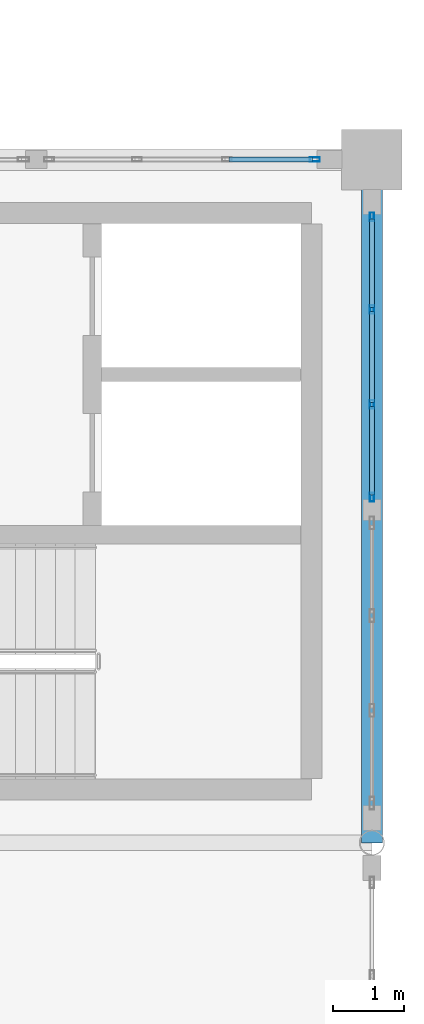
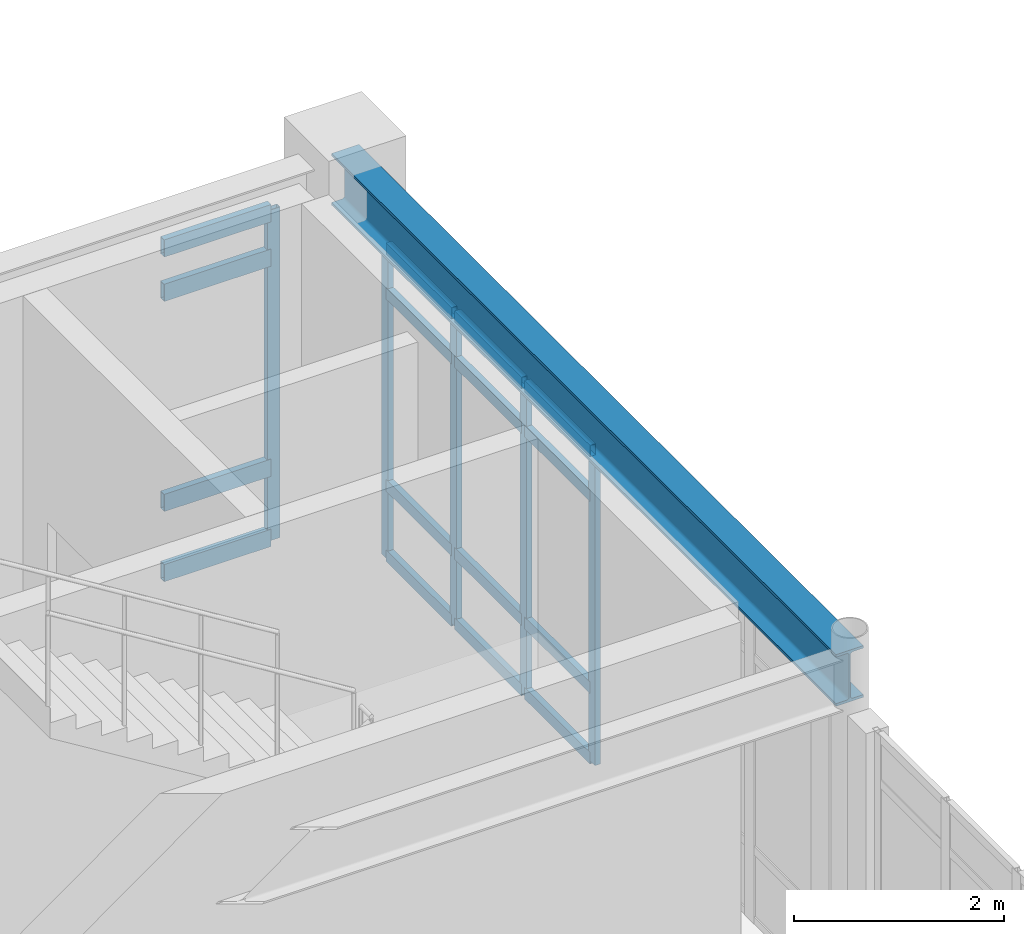
# One storey, part 39 of 55: 21 members, 1 beam, 2 elements without a shape of their own.
"""IFC4 building model written with IfcOpenShell, lengths in metres."""

from ifc_helpers import new_model, si_unit, direction, frame, origin, origin_2d, place, context, subcontext, project, spatial, hollow_rectangle, i_section, extrude, material, layer, layer_set, material_profile, profile_set, type_object, element, aggregate, save


model = new_model("IFC4")

# Units and contexts
model_context = context("Model", 3, precision=1e-05, world=origin(), true_north=direction((0.0, 1.0)))
body_context = subcontext(model_context, "Body", "Model", "MODEL_VIEW")
ifc_project = project(units=[si_unit("LENGTHUNIT", "METRE"), si_unit("AREAUNIT", "SQUARE_METRE"), si_unit("VOLUMEUNIT", "CUBIC_METRE"), si_unit("PLANEANGLEUNIT", "RADIAN"), si_unit("MASSUNIT", "GRAM", prefix="KILO")], contexts=[model_context])

# Site, building, storey
site_placement = place(None, origin())
site = spatial("IfcSite", under=ifc_project, at=site_placement, CompositionType="ELEMENT")
building_placement = place(site_placement, origin())
building = spatial("IfcBuilding", under=site, at=building_placement, Name="Fikremerkos Civic Library", CompositionType="ELEMENT")
storey_placement = place(building_placement, frame((0.0, 0.0, 18.89990234375)))
storey = spatial("IfcBuildingStorey", under=building, at=storey_placement, Name="L04", CompositionType="ELEMENT", Elevation=18.89990234375)

# Curtain wall, member
ifc_material_1 = material(Name="Anodized aluminium Frame", Category="aluminium")
ifc_layer_1 = layer(ifc_material_1, 0.159912109375, Name="Anodized aluminium Frame")
ifc_layer_set_1 = layer_set([ifc_layer_1], Name="Anodized aluminium Frame")
curtain_wall_type_1 = type_object("IfcCurtainWallType", Name="Unitised curtain wall CW-15 2900x3600", PredefinedType="USERDEFINED", material=ifc_layer_set_1)
curtain_wall_1_placement = place(storey_placement, origin())
curtain_wall_1 = element("IfcCurtainWall", 1, at=curtain_wall_1_placement, inside=storey, type_object=curtain_wall_type_1, Name="Unitised curtain wall CW-15 L04 #249", ObjectType="UNITISED CURTAIN WALL", PredefinedType="USERDEFINED")
ifc_material_profile_1 = material_profile(ifc_material_1, hollow_rectangle(XDim=0.06005859375, YDim=0.139892578125, WallThickness=0.00390625, at=origin_2d()), Name="ALU 140x60x4")
ifc_profile_set_1 = profile_set([ifc_material_profile_1], Name="Anodized aluminium Frame")
member_type_1 = type_object("IfcMemberType", Name="Curtain mullion CWM-03 ALU 140x60x4", PredefinedType="MULLION", material=ifc_profile_set_1)
member_1_placement = place(storey_placement, frame((112.89697265625, 31.199951171875, 0.0), z_axis=(0.0, 0.0, 1.0), x_axis=(0.0, 1.0, 0.0)))
member_1 = element("IfcMember", 2, at=member_1_placement, type_object=member_type_1, Name="CW-15 mullion 4", PredefinedType="MULLION", context=body_context, shape_type="SweptSolid", body=[
    extrude(hollow_rectangle(XDim=0.06005859375, YDim=0.139892578125, WallThickness=0.00390625, at=origin_2d()), origin(), (0.0, 0.0, 1.0), 3.840087890625),
])

# Curtain wall, members
ifc_layer_2 = layer(ifc_material_1, 0.159912109375, Name="Anodized aluminium Frame")
ifc_layer_set_2 = layer_set([ifc_layer_2], Name="Anodized aluminium Frame")
curtain_wall_type_2 = type_object("IfcCurtainWallType", Name="Unitised curtain wall CW-12 4300x3400", PredefinedType="USERDEFINED", material=ifc_layer_set_2)
curtain_wall_2_placement = place(storey_placement, origin())
curtain_wall_2 = element("IfcCurtainWall", 3, at=curtain_wall_2_placement, inside=storey, type_object=curtain_wall_type_2, Name="Unitised curtain wall CW-12 L04 #210", ObjectType="UNITISED CURTAIN WALL", PredefinedType="USERDEFINED")
ifc_material_profile_2 = material_profile(ifc_material_1, hollow_rectangle(XDim=0.06005859375, YDim=0.1201171875, WallThickness=0.00390625, at=origin_2d()), Name="ALU 120x60x4")
ifc_profile_set_2 = profile_set([ifc_material_profile_2], Name="Anodized aluminium Frame")
member_type_2 = type_object("IfcMemberType", Name="Curtain mullion CWM-04 ALU 120x60x4", PredefinedType="MULLION", material=ifc_profile_set_2)
member_2_placement = place(storey_placement, frame((113.699951171875, 30.39697265625, 0.0), z_axis=(0.0, 0.0, 1.0), x_axis=(1.0, 0.0, 0.0)))
member_2 = element("IfcMember", 4, at=member_2_placement, type_object=member_type_2, Name="CW-12 mullion 1", PredefinedType="MULLION", context=body_context, shape_type="SweptSolid", body=[
    extrude(hollow_rectangle(XDim=0.06005859375, YDim=0.1201171875, WallThickness=0.00390625, at=origin_2d()), origin(), (0.0, 0.0, 1.0), 3.630126953125),
])
member_3_placement = place(storey_placement, frame((113.699951171875, 29.093505859375, 0.0), z_axis=(0.0, 0.0, 1.0), x_axis=(1.0, 0.0, 0.0)))
member_3 = element("IfcMember", 5, at=member_3_placement, type_object=member_type_2, Name="CW-12 mullion 2", PredefinedType="MULLION", context=body_context, shape_type="SweptSolid", body=[
    extrude(hollow_rectangle(XDim=0.06005859375, YDim=0.1201171875, WallThickness=0.00390625, at=origin_2d()), origin(), (0.0, 0.0, 1.0), 3.630126953125),
])
member_4_placement = place(storey_placement, frame((113.699951171875, 27.760009765625, 0.0), z_axis=(0.0, 0.0, 1.0), x_axis=(1.0, 0.0, 0.0)))
member_4 = element("IfcMember", 6, at=member_4_placement, type_object=member_type_2, Name="CW-12 mullion 3", PredefinedType="MULLION", context=body_context, shape_type="SweptSolid", body=[
    extrude(hollow_rectangle(XDim=0.06005859375, YDim=0.1201171875, WallThickness=0.00390625, at=origin_2d()), origin(), (0.0, 0.0, 1.0), 3.630126953125),
])
member_5_placement = place(storey_placement, frame((113.699951171875, 26.456298828125, 0.0), z_axis=(0.0, 0.0, 1.0), x_axis=(1.0, 0.0, 0.0)))
member_5 = element("IfcMember", 7, at=member_5_placement, type_object=member_type_2, Name="CW-12 mullion 4", PredefinedType="MULLION", context=body_context, shape_type="SweptSolid", body=[
    extrude(hollow_rectangle(XDim=0.06005859375, YDim=0.1201171875, WallThickness=0.00390625, at=origin_2d()), origin(), (0.0, 0.0, 1.0), 3.630126953125),
])
ifc_material_profile_3 = material_profile(ifc_material_1, hollow_rectangle(XDim=0.06494140625, YDim=0.135009765625, WallThickness=0.00439453125, at=origin_2d()), Name="ALU 135x65x4.5")
ifc_profile_set_3 = profile_set([ifc_material_profile_3], Name="Anodized aluminium Frame")
member_type_3 = type_object("IfcMemberType", Name="Curtain transom CWT-02 ALU 135x65x4.5", PredefinedType="USERDEFINED", material=ifc_profile_set_3)
member_6_placement = place(storey_placement, frame((113.699951171875, 30.366943359375, 0.03271484375), z_axis=(0.0, -1.0, 0.0), x_axis=(1.0, 0.0, 0.0)))
member_6 = element("IfcMember", 8, at=member_6_placement, type_object=member_type_3, Name="CW-12 transom 1.1", ObjectType="TRANSOM", PredefinedType="USERDEFINED", context=body_context, shape_type="SweptSolid", body=[
    extrude(hollow_rectangle(XDim=0.06494140625, YDim=0.135009765625, WallThickness=0.00439453125, at=origin_2d()), origin(), (0.0, 0.0, 1.0), 1.243408203125),
])
member_7_placement = place(storey_placement, frame((113.699951171875, 30.366943359375, 0.85009765625), z_axis=(0.0, -1.0, 0.0), x_axis=(1.0, 0.0, 0.0)))
member_7 = element("IfcMember", 9, at=member_7_placement, type_object=member_type_3, Name="CW-12 transom 1.2", ObjectType="TRANSOM", PredefinedType="USERDEFINED", context=body_context, shape_type="SweptSolid", body=[
    extrude(hollow_rectangle(XDim=0.06494140625, YDim=0.135009765625, WallThickness=0.00439453125, at=origin_2d()), origin(), (0.0, 0.0, 1.0), 1.243408203125),
])
member_8_placement = place(storey_placement, frame((113.699951171875, 30.366943359375, 3.080078125), z_axis=(0.0, -1.0, 0.0), x_axis=(1.0, 0.0, 0.0)))
member_8 = element("IfcMember", 10, at=member_8_placement, type_object=member_type_3, Name="CW-12 transom 1.3", ObjectType="TRANSOM", PredefinedType="USERDEFINED", context=body_context, shape_type="SweptSolid", body=[
    extrude(hollow_rectangle(XDim=0.06494140625, YDim=0.135009765625, WallThickness=0.00439453125, at=origin_2d()), origin(), (0.0, 0.0, 1.0), 1.243408203125),
])
member_9_placement = place(storey_placement, frame((113.699951171875, 30.366943359375, 3.59765625), z_axis=(0.0, -1.0, 0.0), x_axis=(1.0, 0.0, 0.0)))
member_9 = element("IfcMember", 11, at=member_9_placement, type_object=member_type_3, Name="CW-12 transom 1.4", ObjectType="TRANSOM", PredefinedType="USERDEFINED", context=body_context, shape_type="SweptSolid", body=[
    extrude(hollow_rectangle(XDim=0.06494140625, YDim=0.135009765625, WallThickness=0.00439453125, at=origin_2d()), origin(), (0.0, 0.0, 1.0), 1.243408203125),
])
member_10_placement = place(storey_placement, frame((113.699951171875, 29.0634765625, 0.03271484375), z_axis=(0.0, -1.0, 0.0), x_axis=(1.0, 0.0, 0.0)))
member_10 = element("IfcMember", 12, at=member_10_placement, type_object=member_type_3, Name="CW-12 transom 2.1", ObjectType="TRANSOM", PredefinedType="USERDEFINED", context=body_context, shape_type="SweptSolid", body=[
    extrude(hollow_rectangle(XDim=0.06494140625, YDim=0.135009765625, WallThickness=0.00439453125, at=origin_2d()), origin(), (0.0, 0.0, 1.0), 1.2734375),
])
member_11_placement = place(storey_placement, frame((113.699951171875, 29.0634765625, 0.85009765625), z_axis=(0.0, -1.0, 0.0), x_axis=(1.0, 0.0, 0.0)))
member_11 = element("IfcMember", 13, at=member_11_placement, type_object=member_type_3, Name="CW-12 transom 2.2", ObjectType="TRANSOM", PredefinedType="USERDEFINED", context=body_context, shape_type="SweptSolid", body=[
    extrude(hollow_rectangle(XDim=0.06494140625, YDim=0.135009765625, WallThickness=0.00439453125, at=origin_2d()), origin(), (0.0, 0.0, 1.0), 1.2734375),
])
member_12_placement = place(storey_placement, frame((113.699951171875, 29.0634765625, 3.080078125), z_axis=(0.0, -1.0, 0.0), x_axis=(1.0, 0.0, 0.0)))
member_12 = element("IfcMember", 14, at=member_12_placement, type_object=member_type_3, Name="CW-12 transom 2.3", ObjectType="TRANSOM", PredefinedType="USERDEFINED", context=body_context, shape_type="SweptSolid", body=[
    extrude(hollow_rectangle(XDim=0.06494140625, YDim=0.135009765625, WallThickness=0.00439453125, at=origin_2d()), origin(), (0.0, 0.0, 1.0), 1.2734375),
])
member_13_placement = place(storey_placement, frame((113.699951171875, 29.0634765625, 3.59765625), z_axis=(0.0, -1.0, 0.0), x_axis=(1.0, 0.0, 0.0)))
member_13 = element("IfcMember", 15, at=member_13_placement, type_object=member_type_3, Name="CW-12 transom 2.4", ObjectType="TRANSOM", PredefinedType="USERDEFINED", context=body_context, shape_type="SweptSolid", body=[
    extrude(hollow_rectangle(XDim=0.06494140625, YDim=0.135009765625, WallThickness=0.00439453125, at=origin_2d()), origin(), (0.0, 0.0, 1.0), 1.2734375),
])
member_14_placement = place(storey_placement, frame((113.699951171875, 27.72998046875, 0.03271484375), z_axis=(0.0, -1.0, 0.0), x_axis=(1.0, 0.0, 0.0)))
member_14 = element("IfcMember", 16, at=member_14_placement, type_object=member_type_3, Name="CW-12 transom 3.1", ObjectType="TRANSOM", PredefinedType="USERDEFINED", context=body_context, shape_type="SweptSolid", body=[
    extrude(hollow_rectangle(XDim=0.06494140625, YDim=0.135009765625, WallThickness=0.00439453125, at=origin_2d()), origin(), (0.0, 0.0, 1.0), 1.24365234375),
])
member_15_placement = place(storey_placement, frame((113.699951171875, 27.72998046875, 0.85009765625), z_axis=(0.0, -1.0, 0.0), x_axis=(1.0, 0.0, 0.0)))
member_15 = element("IfcMember", 17, at=member_15_placement, type_object=member_type_3, Name="CW-12 transom 3.2", ObjectType="TRANSOM", PredefinedType="USERDEFINED", context=body_context, shape_type="SweptSolid", body=[
    extrude(hollow_rectangle(XDim=0.06494140625, YDim=0.135009765625, WallThickness=0.00439453125, at=origin_2d()), origin(), (0.0, 0.0, 1.0), 1.24365234375),
])
member_16_placement = place(storey_placement, frame((113.699951171875, 27.72998046875, 3.080078125), z_axis=(0.0, -1.0, 0.0), x_axis=(1.0, 0.0, 0.0)))
member_16 = element("IfcMember", 18, at=member_16_placement, type_object=member_type_3, Name="CW-12 transom 3.3", ObjectType="TRANSOM", PredefinedType="USERDEFINED", context=body_context, shape_type="SweptSolid", body=[
    extrude(hollow_rectangle(XDim=0.06494140625, YDim=0.135009765625, WallThickness=0.00439453125, at=origin_2d()), origin(), (0.0, 0.0, 1.0), 1.24365234375),
])
member_17_placement = place(storey_placement, frame((113.699951171875, 27.72998046875, 3.59765625), z_axis=(0.0, -1.0, 0.0), x_axis=(1.0, 0.0, 0.0)))
member_17 = element("IfcMember", 19, at=member_17_placement, type_object=member_type_3, Name="CW-12 transom 3.4", ObjectType="TRANSOM", PredefinedType="USERDEFINED", context=body_context, shape_type="SweptSolid", body=[
    extrude(hollow_rectangle(XDim=0.06494140625, YDim=0.135009765625, WallThickness=0.00439453125, at=origin_2d()), origin(), (0.0, 0.0, 1.0), 1.24365234375),
])
aggregate(curtain_wall_2, [member_2, member_3, member_4, member_5, member_6, member_7, member_8, member_9, member_10, member_11, member_12, member_13, member_14, member_15, member_16, member_17])

# Member
ifc_material_profile_4 = material_profile(ifc_material_1, hollow_rectangle(XDim=0.070068359375, YDim=0.199951171875, WallThickness=0.0048828125, at=origin_2d()), Name="ALU 200x70x5")
ifc_profile_set_4 = profile_set([ifc_material_profile_4], Name="Anodized aluminium Frame")
member_type_4 = type_object("IfcMemberType", Name="Curtain transom CWT-04 ALU 200x70x5", PredefinedType="USERDEFINED", material=ifc_profile_set_4)
member_18_placement = place(storey_placement, frame((111.692626953125, 31.199951171875, 0.03515625), z_axis=(1.0, 0.0, 0.0), x_axis=(0.0, 1.0, 0.0)))
member_18 = element("IfcMember", 20, at=member_18_placement, type_object=member_type_4, Name="CW-15 transom 3.1", ObjectType="TRANSOM", PredefinedType="USERDEFINED", context=body_context, shape_type="SweptSolid", body=[
    extrude(hollow_rectangle(XDim=0.070068359375, YDim=0.199951171875, WallThickness=0.0048828125, at=origin_2d()), origin(), (0.0, 0.0, 1.0), 1.17431640625),
])

member_19_placement = place(storey_placement, frame((111.692626953125, 31.199951171875, 0.85009765625), z_axis=(1.0, 0.0, 0.0), x_axis=(0.0, 1.0, 0.0)))
member_19 = element("IfcMember", 21, at=member_19_placement, type_object=member_type_4, Name="CW-15 transom 3.2", ObjectType="TRANSOM", PredefinedType="USERDEFINED", context=body_context, shape_type="SweptSolid", body=[
    extrude(hollow_rectangle(XDim=0.070068359375, YDim=0.199951171875, WallThickness=0.0048828125, at=origin_2d()), origin(), (0.0, 0.0, 1.0), 1.17431640625),
])

member_20_placement = place(storey_placement, frame((111.692626953125, 31.199951171875, 3.2900390625), z_axis=(1.0, 0.0, 0.0), x_axis=(0.0, 1.0, 0.0)))
member_20 = element("IfcMember", 22, at=member_20_placement, type_object=member_type_4, Name="CW-15 transom 3.3", ObjectType="TRANSOM", PredefinedType="USERDEFINED", context=body_context, shape_type="SweptSolid", body=[
    extrude(hollow_rectangle(XDim=0.070068359375, YDim=0.199951171875, WallThickness=0.0048828125, at=origin_2d()), origin(), (0.0, 0.0, 1.0), 1.17431640625),
])

member_21_placement = place(storey_placement, frame((111.692626953125, 31.199951171875, 3.80517578125), z_axis=(1.0, 0.0, 0.0), x_axis=(0.0, 1.0, 0.0)))
member_21 = element("IfcMember", 23, at=member_21_placement, type_object=member_type_4, Name="CW-15 transom 3.4", ObjectType="TRANSOM", PredefinedType="USERDEFINED", context=body_context, shape_type="SweptSolid", body=[
    extrude(hollow_rectangle(XDim=0.070068359375, YDim=0.199951171875, WallThickness=0.0048828125, at=origin_2d()), origin(), (0.0, 0.0, 1.0), 1.17431640625),
])

aggregate(curtain_wall_1, [member_1, member_18, member_19, member_20, member_21])

# Beam
ifc_material_2 = material(Name="Steel S355", Category="steel")
ifc_material_profile_5 = material_profile(ifc_material_2, i_section(OverallWidth=0.300048828125, OverallDepth=0.60009765625, WebThickness=0.015380859375, FlangeThickness=0.030029296875, FilletRadius=0.027099609375, at=origin_2d()), Name="HEB 600")
ifc_profile_set_5 = profile_set([ifc_material_profile_5], Name="Steel S355")
beam_type = type_object("IfcBeamType", Name="Primary girder BM-13 HEB 600", PredefinedType="BEAM", material=ifc_profile_set_5)
beam_placement = place(storey_placement, frame((113.699951171875, 21.60009765625, 3.940185546875), z_axis=(0.0, 1.0, 0.0), x_axis=(-1.0, 0.0, 0.0)))
element("IfcBeam", 24, at=beam_placement, inside=storey, type_object=beam_type, Name="Primary girder BM-13 L04 grid 10", PredefinedType="BEAM", context=body_context, shape_type="SweptSolid", body=[
    extrude(i_section(OverallWidth=0.300048828125, OverallDepth=0.60009765625, WebThickness=0.015380859375, FlangeThickness=0.030029296875, FilletRadius=0.027099609375, at=origin_2d()), origin(), (0.0, 0.0, 1.0), 9.599853515625),
])

save(model, "model.ifc")
